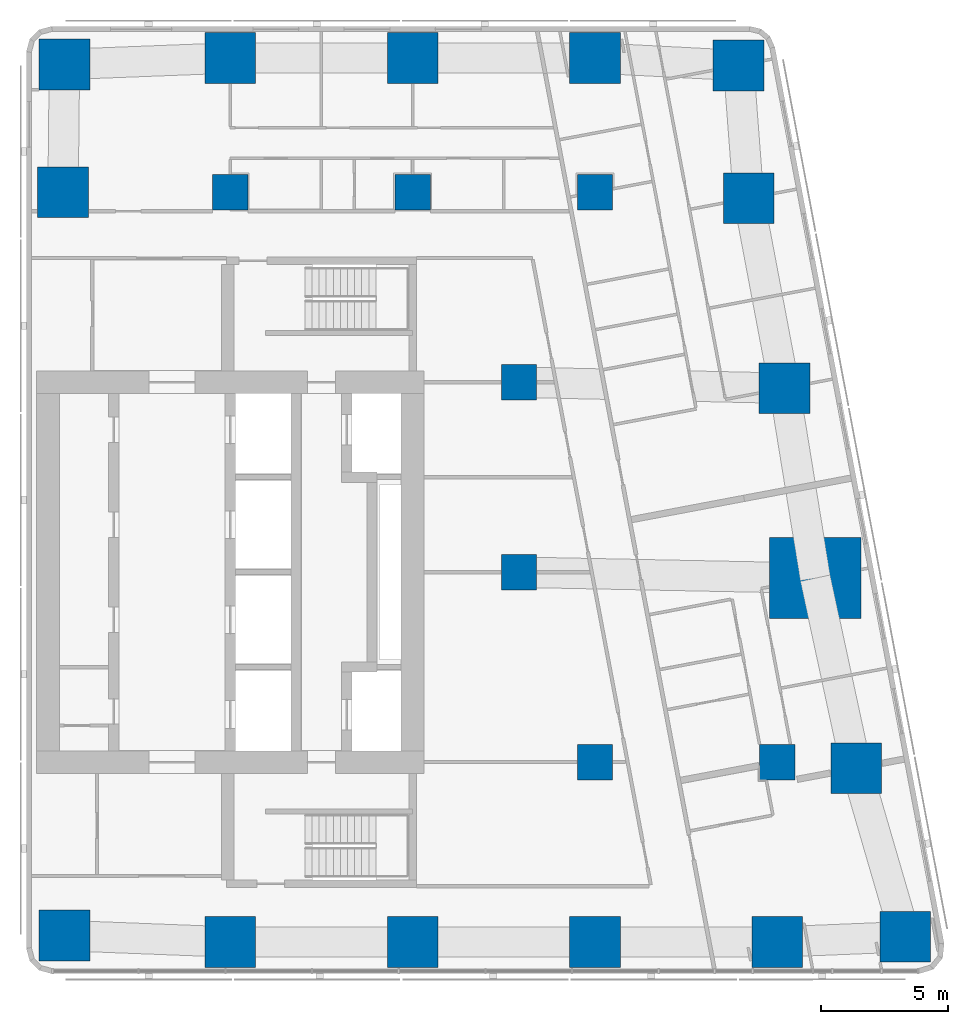
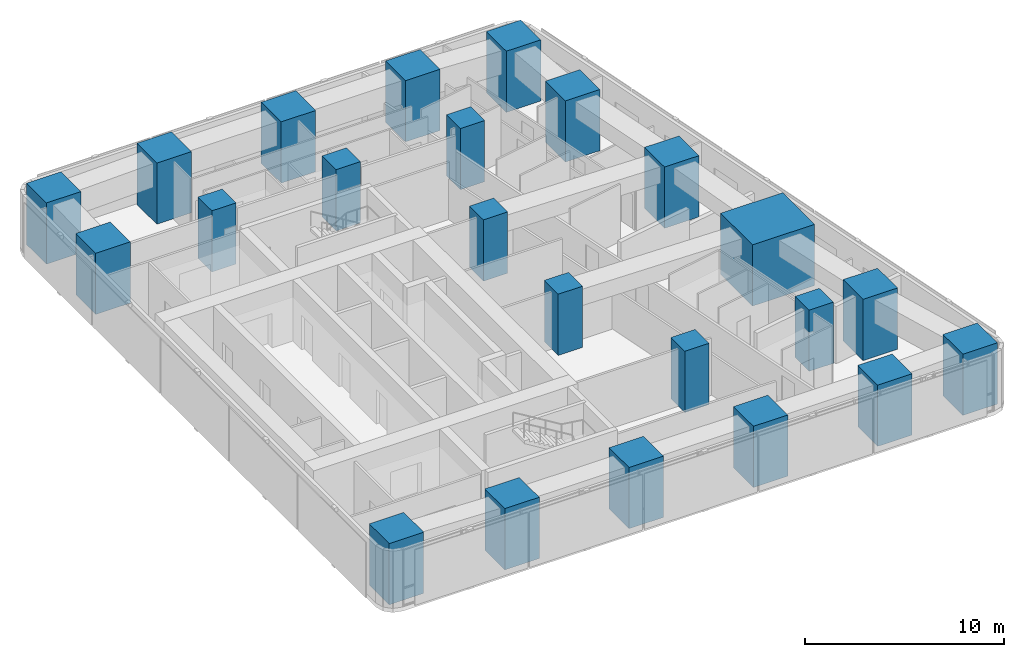
# One storey, part 1 of 11: 23 columns.
"""IFC4 building model written with IfcOpenShell, lengths in metres."""

from ifc_helpers import new_model, si_unit, direction, frame, origin, origin_2d, place, context, subcontext, project, spatial, rectangle, extrude, material, material_profile, profile_set, type_object, element, save


model = new_model("IFC4")

# Units and contexts
model_context = context("Model", 3, precision=1e-05, world=origin(), true_north=direction((0.0, 1.0)))
body_context = subcontext(model_context, "Body", "Model", "MODEL_VIEW")
ifc_project = project(units=[si_unit("LENGTHUNIT", "METRE"), si_unit("AREAUNIT", "SQUARE_METRE"), si_unit("VOLUMEUNIT", "CUBIC_METRE"), si_unit("PLANEANGLEUNIT", "RADIAN"), si_unit("MASSUNIT", "GRAM", prefix="KILO")], contexts=[model_context])

# Site, building, storey
site_placement = place(None, origin())
site = spatial("IfcSite", under=ifc_project, at=site_placement, CompositionType="ELEMENT")
building_placement = place(site_placement, origin())
building = spatial("IfcBuilding", under=site, at=building_placement, Name="Sheger Commons Tower", CompositionType="ELEMENT")
storey_placement = place(building_placement, frame((0.0, 0.0, 262.85009765625)))
storey = spatial("IfcBuildingStorey", under=building, at=storey_placement, Name="L67", CompositionType="ELEMENT", Elevation=262.85009765625)

# Columns
ifc_material_1 = material(Name="Concrete C50/60", Category="concrete")
ifc_material_profile_1 = material_profile(ifc_material_1, rectangle(XDim=3.60009765625, YDim=3.199951171875, at=origin_2d()), Name="RC 3600x3200")
ifc_profile_set_1 = profile_set([ifc_material_profile_1], Name="Concrete C50/60")
column_type_1 = type_object("IfcColumnType", Name="COLUMN PIER RC 3600x3200", PredefinedType="COLUMN", material=ifc_profile_set_1)
column_placement = place(storey_placement, frame((44.697021484375, 22.262939453125, 0.0), z_axis=(0.0, 0.0, 1.0), x_axis=(1.0, 0.0, 0.0)))
element("IfcColumn", 1, at=column_placement, inside=storey, type_object=column_type_1, Name="Pier 7/D+E/D L67", PredefinedType="COLUMN", context=body_context, shape_type="SweptSolid", body=[
    extrude(rectangle(XDim=3.60009765625, YDim=3.199951171875, at=origin_2d()), origin(), (0.0, 0.0, 1.0), 3.75),
])
ifc_material_2 = material(Name="Concrete C50/60", Category="concrete")
ifc_material_profile_2 = material_profile(ifc_material_2, rectangle(XDim=1.39990234375, YDim=1.39990234375, at=origin_2d()), Name="RC 1400x1400")
ifc_profile_set_2 = profile_set([ifc_material_profile_2], Name="Concrete C50/60")
column_type_2 = type_object("IfcColumnType", Name="COLUMN RC 1400x1400", PredefinedType="COLUMN", material=ifc_profile_set_2)
for number, where, z_axis, x_axis, name in (
    (2, (36.0, 15.0, 0.0), (0.0, 0.0, 1.0), (1.0, 0.0, 0.0), "Column 6/C L67"),
    (3, (43.199951171875, 15.0, 0.0), (0.0, 0.0, 1.0), (1.0, 0.0, 0.0), "Column 7/C L67"),
    (4, (33.0, 22.5, 0.0), (0.0, 0.0, 1.0), (1.0, 0.0, 0.0), "Column 6-3000/D L67"),
    (5, (33.0, 30.0, 0.0), (0.0, 0.0, 1.0), (1.0, 0.0, 0.0), "Column 6-3000/E L67"),
    (6, (21.60009765625, 37.5, 0.0), (0.0, 0.0, 1.0), (1.0, 0.0, 0.0), "Column 4/F L67"),
    (7, (28.800048828125, 37.5, 0.0), (0.0, 0.0, 1.0), (1.0, 0.0, 0.0), "Column 5/F L67"),
    (8, (36.0, 37.5, 0.0), (0.0, 0.0, 1.0), (1.0, 0.0, 0.0), "Column 6/F L67"),
):
    element("IfcColumn", number, at=place(storey_placement, frame(where, z_axis=z_axis, x_axis=x_axis)), inside=storey, type_object=column_type_2, Name=name, PredefinedType="COLUMN", context=body_context, shape_type="SweptSolid", body=[
        extrude(rectangle(XDim=1.39990234375, YDim=1.39990234375, at=origin_2d()), origin(), (0.0, 0.0, 1.0), 3.75),
    ])
ifc_material_3 = material(Name="Concrete C50/60", Category="concrete")
ifc_material_profile_3 = material_profile(ifc_material_3, rectangle(XDim=2.0, YDim=2.0, at=origin_2d()), Name="RC 2000x2000")
ifc_profile_set_3 = profile_set([ifc_material_profile_3], Name="Concrete C50/60")
column_type_3 = type_object("IfcColumnType", Name="COLUMN RC 2000x2000", PredefinedType="COLUMN", material=ifc_profile_set_3)
for number, where, z_axis, x_axis, name in (
    (9, (15.053955078125, 8.154052734375, 0.0), (0.0, 0.0, 1.0), (1.0, 0.0, 0.0), "Column 3/B L67"),
    (10, (21.60009765625, 7.89990234375, 0.0), (0.0, 0.0, 1.0), (1.0, 0.0, 0.0), "Column 4/B L67"),
    (11, (28.800048828125, 7.89990234375, 0.0), (0.0, 0.0, 1.0), (1.0, 0.0, 0.0), "Column 5/B L67"),
    (12, (36.0, 7.89990234375, 0.0), (0.0, 0.0, 1.0), (1.0, 0.0, 0.0), "Column 6/B L67"),
    (13, (43.199951171875, 7.89990234375, 0.0), (0.0, 0.0, 1.0), (1.0, 0.0, 0.0), "Column 7/B L67"),
    (14, (48.251953125, 8.10693359375, 0.0), (0.0, 0.0, 1.0), (1.0, 0.0, 0.0), "Column E/B L67"),
    (15, (46.31396484375, 14.762939453125, 0.0), (0.0, 0.0, 1.0), (1.0, 0.0, 0.0), "Column E/C L67"),
    (16, (43.47998046875, 29.762939453125, 0.0), (0.0, 0.0, 1.0), (1.0, 0.0, 0.0), "Column E/E L67"),
    (17, (15.0, 37.5, 0.0), (0.0, 0.0, 1.0), (1.0, 0.0, 0.0), "Column 3/F L67"),
    (18, (42.06396484375, 37.262939453125, 0.0), (0.0, 0.0, 1.0), (1.0, 0.0, 0.0), "Column E/F L67"),
    (19, (15.053955078125, 42.5458984375, 0.0), (0.0, 0.0, 1.0), (1.0, 0.0, 0.0), "Column 3/G-1.8 L67"),
    (20, (21.60009765625, 42.800048828125, 0.0), (0.0, 0.0, 1.0), (1.0, 0.0, 0.0), "Column 4/G-1.8 L67"),
    (21, (28.800048828125, 42.800048828125, 0.0), (0.0, 0.0, 1.0), (1.0, 0.0, 0.0), "Column 5/G-1.8 L67"),
    (22, (36.0, 42.800048828125, 0.0), (0.0, 0.0, 1.0), (1.0, 0.0, 0.0), "Column 6/G-1.8 L67"),
    (23, (41.6669921875, 42.506103515625, 0.0), (0.0, 0.0, 1.0), (1.0, 0.0, 0.0), "Column E/G-1.8 L67"),
):
    element("IfcColumn", number, at=place(storey_placement, frame(where, z_axis=z_axis, x_axis=x_axis)), inside=storey, type_object=column_type_3, Name=name, PredefinedType="COLUMN", context=body_context, shape_type="SweptSolid", body=[
        extrude(rectangle(XDim=2.0, YDim=2.0, at=origin_2d()), origin(), (0.0, 0.0, 1.0), 3.75),
    ])

save(model, "model.ifc")
